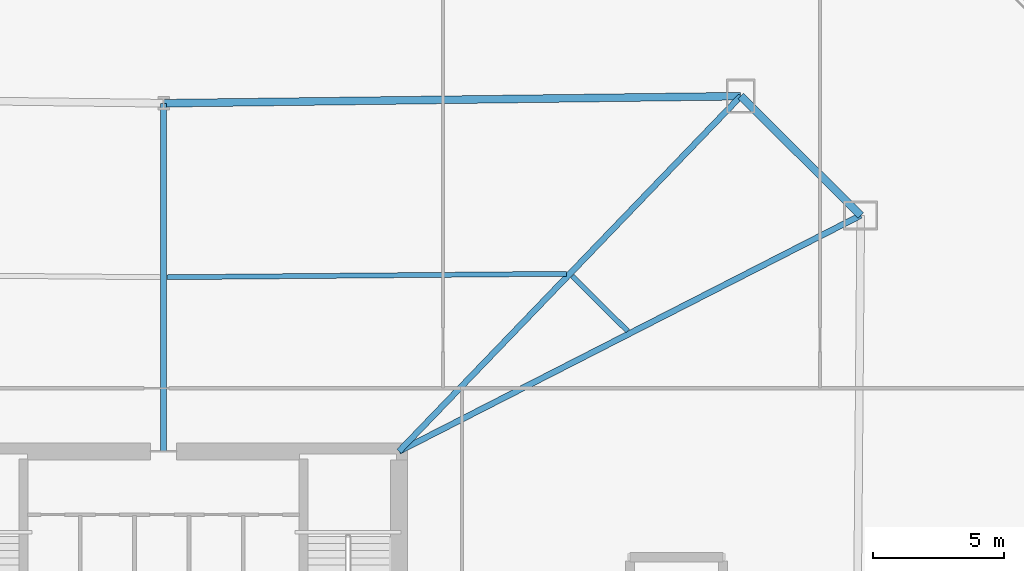
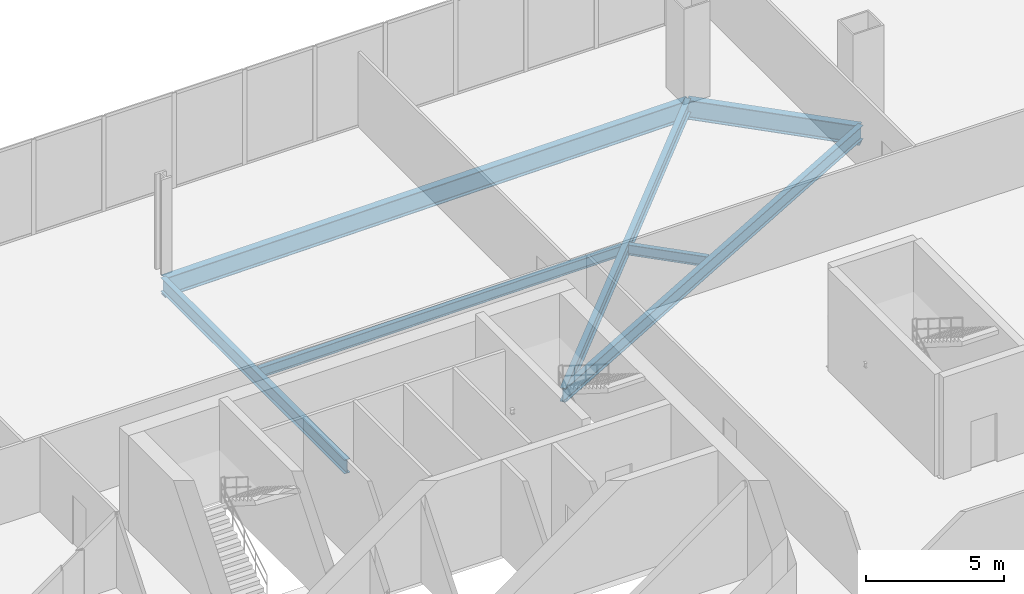
# One storey, part 16 of 31: 7 beams.
"""IFC4 building model written with IfcOpenShell, lengths in metres."""

from ifc_helpers import new_model, si_unit, direction, frame, origin, origin_2d, place, context, subcontext, project, spatial, i_section, extrude, material, material_profile, profile_set, type_object, element, save


model = new_model("IFC4")

# Units and contexts
model_context = context("Model", 3, precision=1e-05, world=origin(), true_north=direction((0.0, 1.0)))
body_context = subcontext(model_context, "Body", "Model", "MODEL_VIEW")
ifc_project = project(units=[si_unit("LENGTHUNIT", "METRE"), si_unit("AREAUNIT", "SQUARE_METRE"), si_unit("VOLUMEUNIT", "CUBIC_METRE"), si_unit("PLANEANGLEUNIT", "RADIAN"), si_unit("MASSUNIT", "GRAM", prefix="KILO")], contexts=[model_context])

# Site, building, storey
site_placement = place(None, origin())
site = spatial("IfcSite", under=ifc_project, at=site_placement, CompositionType="ELEMENT")
building_placement = place(site_placement, origin())
building = spatial("IfcBuilding", under=site, at=building_placement, Name="Caelvoria Tower", CompositionType="ELEMENT")
storey_placement = place(building_placement, frame((0.0, 0.0, 9.5)))
storey = spatial("IfcBuildingStorey", under=building, at=storey_placement, Name="L02", CompositionType="ELEMENT", Elevation=9.5)

# Beams
ifc_material = material(Name="Structural Steel ASTM A992 Gr.50", Category="steel")
ifc_material_profile_1 = material_profile(ifc_material, i_section(OverallWidth=0.2939453125, OverallDepth=0.85107421875, WebThickness=0.01611328125, FlangeThickness=0.02685546875, FilletRadius=0.02197265625, at=origin_2d()), Name="Structural Steel ASTM A992 Gr.50")
ifc_profile_set_1 = profile_set([ifc_material_profile_1], Name="W840X226 - Structural Steel ASTM A992 Gr.50")
beam_type_1 = type_object("IfcBeamType", Name="Podium Long-Span Girder W840X226", PredefinedType="BEAM", material=ifc_profile_set_1)
beam_1_placement = place(storey_placement, frame((72.6416015625, 49.015625, -0.70556640625), z_axis=(-0.709407278283, 0.704798775197, 0.0), x_axis=(-0.704798775197, -0.709407278283, 0.0)))
element("IfcBeam", 1, at=beam_1_placement, inside=storey, type_object=beam_type_1, Name="Perimeter Spandrel Girder L02-05", PredefinedType="BEAM", context=body_context, shape_type="SweptSolid", body=[
    extrude(i_section(OverallWidth=0.2939453125, OverallDepth=0.85107421875, WebThickness=0.01611328125, FlangeThickness=0.02685546875, FilletRadius=0.02197265625, at=origin_2d()), origin(), (0.0, 0.0, 1.0), 6.463134765625),
])
beam_2_placement = place(storey_placement, frame((68.056640625, 53.57080078125, -0.70556640625), z_axis=(-0.999924666978, -0.01227437855, 0.0), x_axis=(0.01227437855, -0.999924666978, 0.0)))
element("IfcBeam", 2, at=beam_2_placement, inside=storey, type_object=beam_type_1, Name="Perimeter Spandrel Girder L02-06", PredefinedType="BEAM", context=body_context, shape_type="SweptSolid", body=[
    extrude(i_section(OverallWidth=0.2939453125, OverallDepth=0.85107421875, WebThickness=0.01611328125, FlangeThickness=0.02685546875, FilletRadius=0.02197265625, at=origin_2d()), origin(), (0.0, 0.0, 1.0), 22.058349609375),
])
ifc_material_profile_2 = material_profile(ifc_material, i_section(OverallWidth=0.22900390625, OverallDepth=0.612060546875, WebThickness=0.011962890625, FlangeThickness=0.01953125, FilletRadius=0.01806640625, at=origin_2d()), Name="Structural Steel ASTM A992 Gr.50")
ifc_profile_set_2 = profile_set([ifc_material_profile_2], Name="W610X125 - Structural Steel ASTM A992 Gr.50")
beam_type_2 = type_object("IfcBeamType", Name="Primary Radial Floor Girder W610X125", PredefinedType="BEAM", material=ifc_profile_set_2)
beam_3_placement = place(storey_placement, frame((55.0, 40.0, -0.5859375), z_axis=(0.890459095292, 0.455063291876, 0.0), x_axis=(-0.455063291876, 0.890459095292, 0.0)))
element("IfcBeam", 3, at=beam_3_placement, inside=storey, type_object=beam_type_2, Name="Primary Floor Girder L02-05", PredefinedType="BEAM", context=body_context, shape_type="SweptSolid", body=[
    extrude(i_section(OverallWidth=0.22900390625, OverallDepth=0.612060546875, WebThickness=0.011962890625, FlangeThickness=0.01953125, FilletRadius=0.01806640625, at=origin_2d()), origin(), (0.0, 0.0, 1.0), 19.811767578125),
])
beam_4_placement = place(storey_placement, frame((55.0, 40.0, -0.5859375), z_axis=(0.69332372519, 0.720626263807, 0.0), x_axis=(-0.720626263807, 0.69332372519, 0.0)))
element("IfcBeam", 4, at=beam_4_placement, inside=storey, type_object=beam_type_2, Name="Primary Floor Girder L02-06", PredefinedType="BEAM", context=body_context, shape_type="SweptSolid", body=[
    extrude(i_section(OverallWidth=0.22900390625, OverallDepth=0.612060546875, WebThickness=0.011962890625, FlangeThickness=0.01953125, FilletRadius=0.01806640625, at=origin_2d()), origin(), (0.0, 0.0, 1.0), 18.83203125),
])
beam_5_placement = place(storey_placement, frame((46.0, 40.0, -0.5859375), z_axis=(0.0, 1.0, 0.0), x_axis=(-1.0, 0.0, 0.0)))
element("IfcBeam", 5, at=beam_5_placement, inside=storey, type_object=beam_type_2, Name="Primary Floor Girder L02-07", PredefinedType="BEAM", context=body_context, shape_type="SweptSolid", body=[
    extrude(i_section(OverallWidth=0.22900390625, OverallDepth=0.612060546875, WebThickness=0.011962890625, FlangeThickness=0.01953125, FilletRadius=0.01806640625, at=origin_2d()), origin(), (0.0, 0.0, 1.0), 13.300048828125),
])
ifc_material_profile_3 = material_profile(ifc_material, i_section(OverallWidth=0.18994140625, OverallDepth=0.45703125, WebThickness=0.009033203125, FlangeThickness=0.014404296875, FilletRadius=0.014892578125, at=origin_2d()), Name="Structural Steel ASTM A992 Gr.50")
ifc_profile_set_3 = profile_set([ifc_material_profile_3], Name="W460X74 - Structural Steel ASTM A992 Gr.50")
beam_type_3 = type_object("IfcBeamType", Name="Secondary Floor Beam W460X74", PredefinedType="BEAM", material=ifc_profile_set_3)
beam_6_placement = place(storey_placement, frame((63.73193359375, 44.595947265625, -0.508544921875), z_axis=(-0.709395928351, 0.704810199159, 0.0), x_axis=(-0.704810199159, -0.709395928351, 0.0)))
element("IfcBeam", 6, at=beam_6_placement, inside=storey, type_object=beam_type_3, Name="Secondary Floor Beam L02-05", PredefinedType="BEAM", context=body_context, shape_type="SweptSolid", body=[
    extrude(i_section(OverallWidth=0.18994140625, OverallDepth=0.45703125, WebThickness=0.009033203125, FlangeThickness=0.014404296875, FilletRadius=0.014892578125, at=origin_2d()), origin(), (0.0, 0.0, 1.0), 2.9814453125),
])
beam_7_placement = place(storey_placement, frame((61.4033203125, 46.7841796875, -0.508544921875), z_axis=(-0.9999620801, -0.00870852243, 0.0), x_axis=(0.00870852243, -0.9999620801, 0.0)))
element("IfcBeam", 7, at=beam_7_placement, inside=storey, type_object=beam_type_3, Name="Secondary Floor Beam L02-06", PredefinedType="BEAM", context=body_context, shape_type="SweptSolid", body=[
    extrude(i_section(OverallWidth=0.18994140625, OverallDepth=0.45703125, WebThickness=0.009033203125, FlangeThickness=0.014404296875, FilletRadius=0.014892578125, at=origin_2d()), origin(), (0.0, 0.0, 1.0), 15.27880859375),
])

save(model, "model.ifc")
